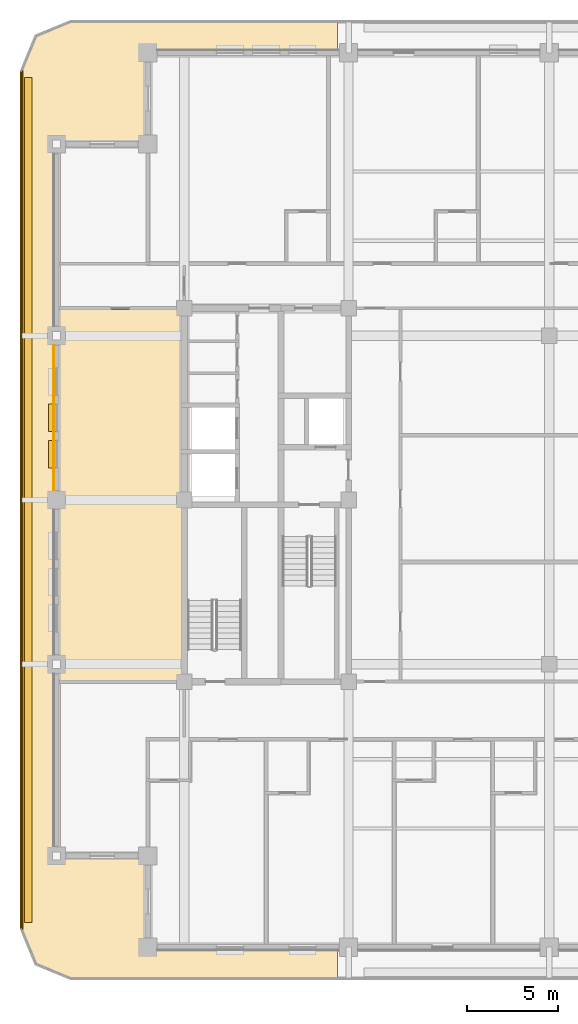
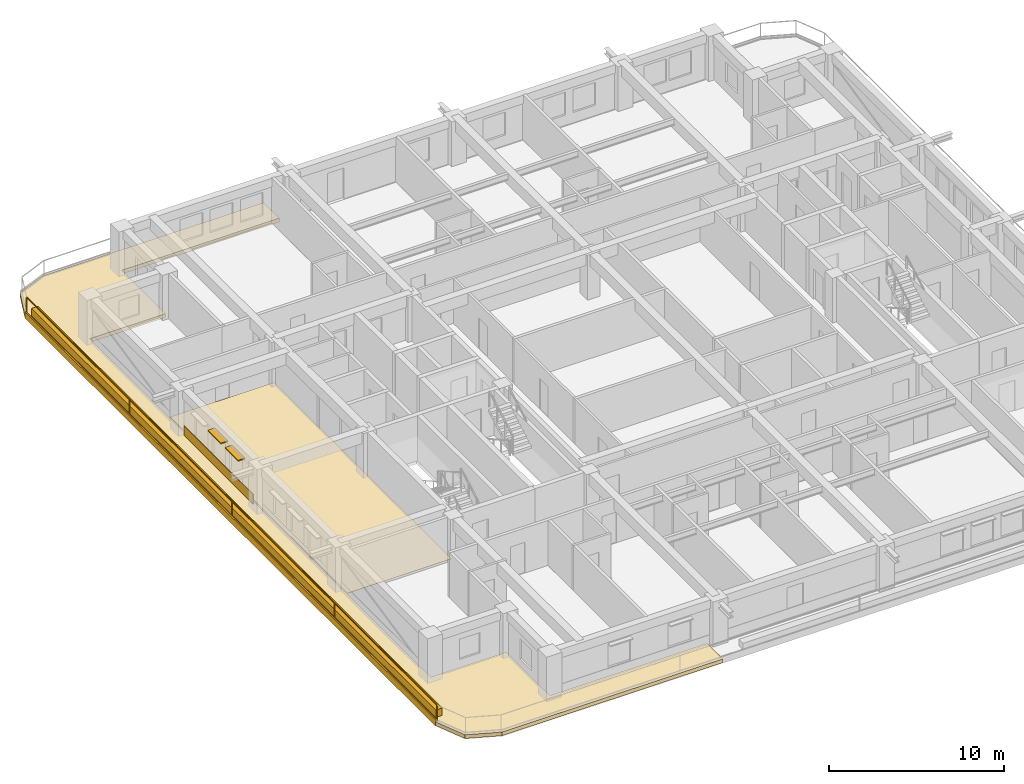
# One storey, part 11 of 15: 5 coverings, 2 shading devices, 1 railing.
"""IFC4 building model written with IfcOpenShell, lengths in metres."""

from ifc_helpers import new_model, si_unit, direction, frame, frame_2d, origin, origin_2d, place, context, subcontext, project, spatial, polyline, rectangle, outline, extrude, material, layer, layer_set, type_object, element, save


model = new_model("IFC4")

# Units and contexts
model_context = context("Model", 3, precision=1e-05, world=origin(), true_north=direction((0.0, 1.0)))
body_context = subcontext(model_context, "Body", "Model", "MODEL_VIEW")
ifc_project = project(units=[si_unit("LENGTHUNIT", "METRE"), si_unit("AREAUNIT", "SQUARE_METRE"), si_unit("VOLUMEUNIT", "CUBIC_METRE"), si_unit("PLANEANGLEUNIT", "RADIAN"), si_unit("MASSUNIT", "GRAM", prefix="KILO")], contexts=[model_context])

# Site, building, storey
site_placement = place(None, origin())
site = spatial("IfcSite", under=ifc_project, at=site_placement, CompositionType="ELEMENT")
building_placement = place(site_placement, origin())
building = spatial("IfcBuilding", under=site, at=building_placement, Name="Zulmaris Gate Convention Tower", CompositionType="ELEMENT")
storey_placement = place(building_placement, frame((0.0, 0.0, 201.659912109375)))
storey = spatial("IfcBuildingStorey", under=building, at=storey_placement, Name="L52", CompositionType="ELEMENT", Elevation=201.659912109375)

# Coverings
ifc_material_1 = material(Name="Precast concrete C40/50", Category="concrete")
ifc_layer_1 = layer(ifc_material_1, 0.0400390625, Name="Precast concrete C40/50")
ifc_layer_set_1 = layer_set([ifc_layer_1], Name="Precast concrete C40/50")
covering_type_1 = type_object("IfcCoveringType", Name="CLAD-SPANDREL-PRECAST", PredefinedType="CLADDING", material=ifc_layer_set_1)
covering_1_placement = place(storey_placement, frame((-27.14990234375, 8.469970703125, 0.0), z_axis=(0.0, 0.0, 1.0), x_axis=(0.0, -1.0, 0.0)))
element("IfcCovering", 1, at=covering_1_placement, inside=storey, type_object=covering_type_1, Name="CLD-L52-W-2_0", PredefinedType="CLADDING", context=body_context, shape_type="SweptSolid", body=[
    extrude(rectangle(XDim=7.93994140625, YDim=0.0400390625, at=frame_2d((3.969970703125, 0.0))), origin(), (0.0, 0.0, 1.0), 0.679931640625),
])
ifc_material_2 = material(Name="White Glazed Architectural Precast Concrete C40/50", Category="concrete")
ifc_layer_2 = layer(ifc_material_2, 0.239990234375, Name="White Glazed Architectural Precast Concrete C40/50")
ifc_layer_set_2 = layer_set([ifc_layer_2], Name="White Glazed Architectural Precast Concrete C40/50")
covering_type_2 = type_object("IfcCoveringType", Name="CLAD-TRAY-DECK", PredefinedType="CLADDING", material=ifc_layer_set_2)
covering_2_placement = place(storey_placement, frame((0.0, 0.0, -0.25)))
element("IfcCovering", 2, at=covering_2_placement, inside=storey, type_object=covering_type_2, Name="L52 West Rounded-Fascia Planter Tray Deck", PredefinedType="CLADDING", context=body_context, shape_type="SweptSolid", body=[
    extrude(outline(polyline([(-29.0, 23.5), (-28.179931640625, 25.47998046875), (-26.199951171875, 26.300048828125), (-11.60205078125, 26.300048828125), (-11.60205078125, 24.5), (-22.0, 24.5), (-22.0, 19.5), (-27.0, 19.5), (-27.0, -19.5), (-22.0, -19.5), (-22.0, -24.5), (-11.60205078125, -24.5), (-11.60205078125, -26.300048828125), (-26.199951171875, -26.300048828125), (-28.179931640625, -25.47998046875), (-29.0, -23.5), (-29.0, 23.5)])), origin(), (0.0, 0.0, 1.0), 0.260009765625),
])
ifc_layer_3 = layer(ifc_material_2, 0.080078125, Name="White Glazed Architectural Precast Concrete C40/50")
ifc_layer_set_3 = layer_set([ifc_layer_3], Name="White Glazed Architectural Precast Concrete C40/50")
covering_type_3 = type_object("IfcCoveringType", Name="CLAD-TRAY-FASCIA", PredefinedType="CLADDING", material=ifc_layer_set_3)
covering_3_placement = place(storey_placement, frame((-28.9599609375, 23.5, -0.2900390625), z_axis=(0.0, 0.0, 1.0), x_axis=(0.0, -1.0, 0.0)))
element("IfcCovering", 3, at=covering_3_placement, inside=storey, type_object=covering_type_3, Name="FSC-L52-TR-11", PredefinedType="CLADDING", context=body_context, shape_type="SweptSolid", body=[
    extrude(rectangle(XDim=47.0, YDim=0.080078125, at=frame_2d((23.5, 0.0))), origin(), (0.0, 0.0, 1.0), 0.4599609375),
])
ifc_material_3 = material(Name="Engineered Teak Parquet Flooring")
ifc_layer_4 = layer(ifc_material_3, 0.02001953125, Name="Engineered Teak Parquet Flooring")
ifc_layer_set_4 = layer_set([ifc_layer_4], Name="Engineered Teak Parquet Flooring")
covering_type_4 = type_object("IfcCoveringType", Name="FLR-TIMBER-18", PredefinedType="FLOORING", material=ifc_layer_set_4)
covering_4_placement = place(storey_placement, origin())
element("IfcCovering", 4, at=covering_4_placement, inside=storey, type_object=covering_type_4, Name="FLR-L52-R62", PredefinedType="FLOORING", context=body_context, shape_type="SweptSolid", body=[
    extrude(outline(polyline([(-26.93994140625, -9.889892578125), (-20.06005859375, -9.889892578125), (-20.06005859375, 10.43994140625), (-26.93994140625, 10.43994140625), (-26.93994140625, -9.889892578125)])), origin(), (0.0, 0.0, 1.0), 0.02001953125),
])
ifc_material_4 = material(Name="Botanical Green Glazed Precast Concrete C40/50", Category="concrete")
ifc_layer_5 = layer(ifc_material_4, 0.419921875, Name="Botanical Green Glazed Precast Concrete C40/50")
ifc_layer_set_5 = layer_set([ifc_layer_5], Name="Botanical Green Glazed Precast Concrete C40/50")
covering_type_5 = type_object("IfcCoveringType", Name="PLANTER-BOX-200", PredefinedType="CLADDING", material=ifc_layer_set_5)
covering_5_placement = place(storey_placement, frame((0.0, 0.0, 0.010009765625)))
element("IfcCovering", 5, at=covering_5_placement, inside=storey, type_object=covering_type_5, Name="L52 W Full-Length Balcony Tree Planter Trough", PredefinedType="CLADDING", context=body_context, shape_type="SweptSolid", body=[
    extrude(outline(polyline([(-28.760009765625, -23.14990234375), (-28.340087890625, -23.14990234375), (-28.340087890625, 23.14990234375), (-28.760009765625, 23.14990234375), (-28.760009765625, -23.14990234375)])), origin(), (0.0, 0.0, 1.0), 0.52001953125),
])

# Railing
ifc_material_5 = material(Name="Laminated Glass and Stainless Steel", Category="steel")
railing_type = type_object("IfcRailingType", Name="RL-BALC-1150", PredefinedType="BALUSTRADE", material=ifc_material_5)
railing_placement = place(storey_placement, frame((-28.8798828125, 23.5, 0.010009765625)))
element("IfcRailing", 6, at=railing_placement, inside=storey, type_object=railing_type, Name="RL-L52-BALC-W", PredefinedType="BALUSTRADE", context=body_context, shape_type="SweptSolid", body=[
    extrude(rectangle(XDim=0.048095703125, YDim=0.048095703125, at=origin_2d()), frame((0.0, 0.0, 1.1259765625), z_axis=(0.0, -1.0, 0.0), x_axis=(1.0, 0.0, 0.0)), (0.0, 0.0, 1.0), 47.0),
    extrude(rectangle(XDim=0.048095703125, YDim=0.048095703125, at=origin_2d()), frame((0.0, 0.0, 0.02392578125), z_axis=(0.0, -1.0, 0.0), x_axis=(1.0, 0.0, 0.0)), (0.0, 0.0, 1.0), 47.0),
    extrude(rectangle(XDim=0.0419921875, YDim=0.0419921875, at=origin_2d()), origin(), (0.0, 0.0, 1.0), 1.101806640625),
    extrude(rectangle(XDim=0.0419921875, YDim=0.0419921875, at=origin_2d()), frame((0.0, -11.75, 0.0)), (0.0, 0.0, 1.0), 1.101806640625),
    extrude(rectangle(XDim=0.0419921875, YDim=0.0419921875, at=origin_2d()), frame((0.0, -23.5, 0.0)), (0.0, 0.0, 1.0), 1.101806640625),
    extrude(rectangle(XDim=0.0419921875, YDim=0.0419921875, at=origin_2d()), frame((0.0, -35.25, 0.0)), (0.0, 0.0, 1.0), 1.101806640625),
    extrude(rectangle(XDim=0.0419921875, YDim=0.0419921875, at=origin_2d()), frame((0.0, -47.0, 0.0)), (0.0, 0.0, 1.0), 1.101806640625),
])

# Shading devices
ifc_material_6 = material(Name="Glazed Ceramic Terracotta", Category="masonry")
ifc_layer_6 = layer(ifc_material_6, 0.070068359375, Name="Glazed Ceramic Terracotta")
ifc_layer_set_6 = layer_set([ifc_layer_6], Name="Glazed Ceramic Terracotta")
shading_device_type = type_object("IfcShadingDeviceType", Name="SHD-SUNSHADE-TC", PredefinedType="AWNING", material=ifc_layer_set_6)
for number, where, z_axis, x_axis, name in (
    (7, (-27.219970703125, 5.25, 2.35009765625), (0.0, 0.0, 1.0), (0.0, -1.0, 0.0), "SHD-EW-L52-W-2_0-2"),
    (8, (-27.219970703125, 3.264892578125, 2.35009765625), (0.0, 0.0, 1.0), (0.0, -1.0, 0.0), "SHD-EW-L52-W-2_0-3"),
):
    element("IfcShadingDevice", number, at=place(storey_placement, frame(where, z_axis=z_axis, x_axis=x_axis)), inside=storey, type_object=shading_device_type, Name=name, PredefinedType="AWNING", context=body_context, shape_type="SweptSolid", body=[
        extrude(rectangle(XDim=1.5, YDim=0.43994140625, at=frame_2d((0.75, 0.0))), origin(), (0.0, 0.0, 1.0), 0.06982421875),
    ])

save(model, "model.ifc")
